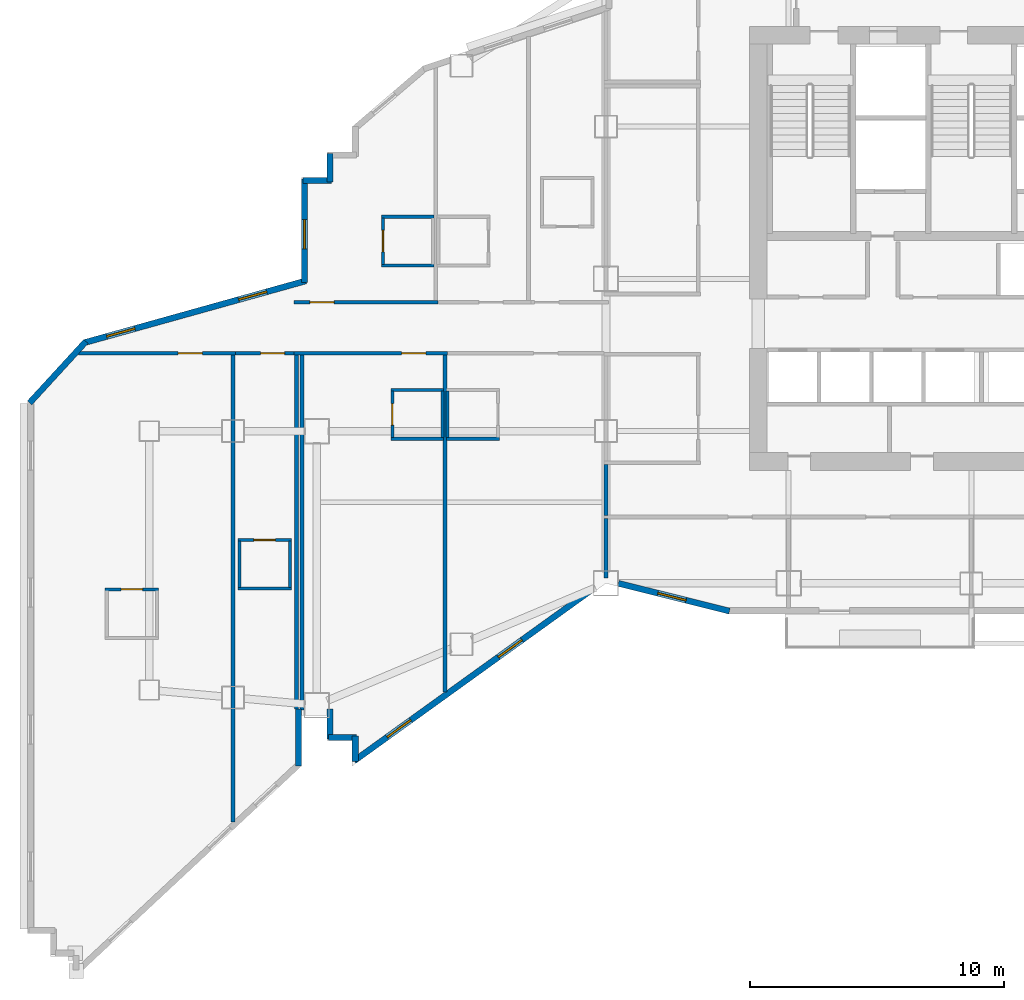
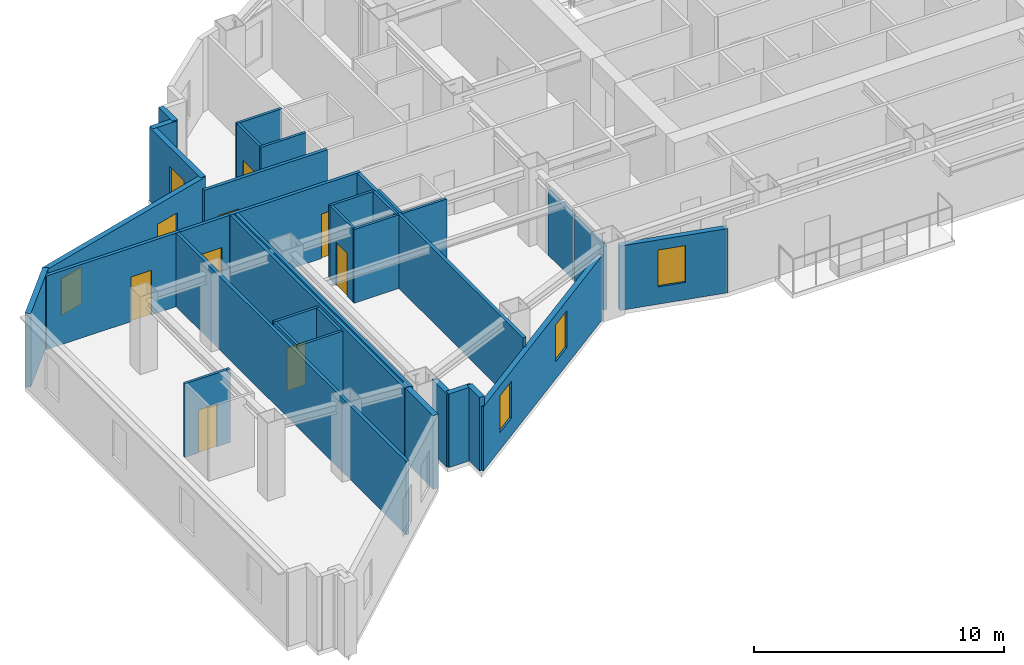
# One storey, part 7 of 14: 35 walls, 8 doors, 6 windows, 14 openings.
"""IFC4 building model written with IfcOpenShell, lengths in metres."""

from ifc_helpers import new_model, si_unit, direction, frame, frame_2d, origin, place, context, subcontext, project, spatial, rectangle, extrude, material, layer, layer_set, type_object, element, fill, save


model = new_model("IFC4")

# Units and contexts
model_context = context("Model", 3, precision=1e-05, world=origin(), true_north=direction((0.0, 1.0)))
body_context = subcontext(model_context, "Body", "Model", "MODEL_VIEW")
ifc_project = project(units=[si_unit("LENGTHUNIT", "METRE"), si_unit("AREAUNIT", "SQUARE_METRE"), si_unit("VOLUMEUNIT", "CUBIC_METRE"), si_unit("PLANEANGLEUNIT", "RADIAN"), si_unit("MASSUNIT", "GRAM", prefix="KILO")], contexts=[model_context])

# Site, building, storey
site_placement = place(None, origin())
site = spatial("IfcSite", under=ifc_project, at=site_placement, CompositionType="ELEMENT")
building_placement = place(site_placement, origin())
building = spatial("IfcBuilding", under=site, at=building_placement, Name="Haolan Belvedere Tower", CompositionType="ELEMENT")
storey_placement = place(building_placement, frame((0.0, 0.0, 148.60009765625)))
storey = spatial("IfcBuildingStorey", under=building, at=storey_placement, Name="L37", CompositionType="ELEMENT", Elevation=148.60009765625)

# Walls
ifc_material_1 = material(Name="Precast concrete C40/50", Category="concrete")
ifc_layer_1 = layer(ifc_material_1, 0.239990234375, Name="Precast concrete C40/50")
ifc_layer_set_1 = layer_set([ifc_layer_1], Name="Precast concrete C40/50")
wall_type_1 = type_object("IfcWallType", Name="WL-EXT-240", PredefinedType="SOLIDWALL", material=ifc_layer_set_1)
wall_1_placement = place(storey_placement, frame((13.1201171875, 16.639892578125, 0.0), z_axis=(0.0, 0.0, 1.0), x_axis=(0.0, -1.0, 0.0)))
element("IfcWall", 1, at=wall_1_placement, inside=storey, type_object=wall_type_1, Name="L37 pale-metal exterior spandrel wall 2.1", PredefinedType="SOLIDWALL", context=body_context, shape_type="SweptSolid", body=[
    extrude(rectangle(XDim=1.1748046875, YDim=0.239990234375, at=frame_2d((0.58740234375, 0.0))), origin(), (0.0, 0.0, 1.0), 3.599853515625),
])
wall_2_placement = place(storey_placement, frame((13.06494140625, 15.52001953125, 0.0), z_axis=(0.0, 0.0, 1.0), x_axis=(1.0, 0.0, 0.0)))
element("IfcWall", 2, at=wall_2_placement, inside=storey, type_object=wall_type_1, Name="L37 pale-metal exterior spandrel wall 3.1", PredefinedType="SOLIDWALL", context=body_context, shape_type="SweptSolid", body=[
    extrude(rectangle(XDim=1.110107421875, YDim=0.239990234375, at=frame_2d((0.55517578125, 0.0))), origin(), (0.0, 0.0, 1.0), 3.599853515625),
])
wall_3_placement = place(storey_placement, frame((14.1201171875, 15.574951171875, 0.0), z_axis=(0.0, 0.0, 1.0), x_axis=(0.0, -1.0, 0.0)))
element("IfcWall", 3, at=wall_3_placement, inside=storey, type_object=wall_type_1, Name="L37 pale-metal exterior spandrel wall 4.1", PredefinedType="SOLIDWALL", context=body_context, shape_type="SweptSolid", body=[
    extrude(rectangle(XDim=0.99560546875, YDim=0.239990234375, at=frame_2d((0.497802734375, 0.0))), origin(), (0.0, 0.0, 1.0), 3.599853515625),
])

# Wall, openings, windows
wall_4_placement = place(storey_placement, frame((14.075439453125, 14.602294921875, 0.0), z_axis=(0.0, 0.0, 1.0), x_axis=(0.811543504691, 0.584291998913, 0.0)))
wall_4 = element("IfcWall", 4, at=wall_4_placement, inside=storey, type_object=wall_type_1, Name="L37 pale-metal exterior spandrel wall 5.1", PredefinedType="SOLIDWALL", context=body_context, shape_type="SweptSolid", body=[
    extrude(rectangle(XDim=11.623046875, YDim=0.239990234375, at=frame_2d((5.8115234375, 0.0))), origin(), (0.0, 0.0, 1.0), 3.14501953125),
])
opening_1_placement = place(wall_4_placement, frame((1.60009765625, 0.0, 0.85009765625)))
opening_1 = element("IfcOpeningElement", 5, at=opening_1_placement, cuts=wall_4, Name="Opening W-02", PredefinedType="OPENING", context=body_context, shape_type="SweptSolid", body=[
    extrude(rectangle(XDim=1.14990234375, YDim=1.800048828125, at=frame_2d((0.574951171875, 0.89990234375))), frame((0.0, 0.1298828125, 0.0), z_axis=(0.0, -1.0, 0.0), x_axis=(1.0, 0.0, 0.0)), (0.0, 0.0, 1.0), 0.260009765625),
])
opening_2_placement = place(wall_4_placement, frame((7.0, 0.0, 0.85009765625)))
opening_2 = element("IfcOpeningElement", 6, at=opening_2_placement, cuts=wall_4, Name="Opening W-02", PredefinedType="OPENING", context=body_context, shape_type="SweptSolid", body=[
    extrude(rectangle(XDim=1.14990234375, YDim=1.800048828125, at=frame_2d((0.574951171875, 0.89990234375))), frame((0.0, 0.1298828125, 0.0), z_axis=(0.0, -1.0, 0.0), x_axis=(1.0, 0.0, 0.0)), (0.0, 0.0, 1.0), 0.260009765625),
])
ifc_material_2 = material(Name="Anodised aluminium 6063-T6 and Low-E glass", Category="aluminium")
window_type = type_object("IfcWindowType", Name="WN-DECO-Z2", PartitioningType="SINGLE_PANEL", PredefinedType="WINDOW", material=ifc_material_2)
window_1_placement = place(opening_1_placement, origin())
window_1 = element("IfcWindow", 7, at=window_1_placement, inside=storey, type_object=window_type, Name="L37 Art Deco chevron window 1", OverallHeight=1.800048828125, OverallWidth=1.14990234375, PartitioningType="SINGLE_PANEL", PredefinedType="WINDOW", context=body_context, shape_type="SweptSolid", body=[
    extrude(rectangle(XDim=1.14990234375, YDim=1.800048828125, at=frame_2d((0.574951171875, 0.89990234375))), frame((0.0, 0.030029296875, 0.0), z_axis=(0.0, -1.0, 0.0), x_axis=(1.0, 0.0, 0.0)), (0.0, 0.0, 1.0), 0.06005859375),
])
fill(opening_1, window_1)
window_2_placement = place(opening_2_placement, origin())
window_2 = element("IfcWindow", 8, at=window_2_placement, inside=storey, type_object=window_type, Name="L37 Art Deco chevron window 2", OverallHeight=1.800048828125, OverallWidth=1.14990234375, PartitioningType="SINGLE_PANEL", PredefinedType="WINDOW", context=body_context, shape_type="SweptSolid", body=[
    extrude(rectangle(XDim=1.14990234375, YDim=1.800048828125, at=frame_2d((0.574951171875, 0.89990234375))), frame((0.0, 0.030029296875, 0.0), z_axis=(0.0, -1.0, 0.0), x_axis=(1.0, 0.0, 0.0)), (0.0, 0.0, 1.0), 0.06005859375),
])
fill(opening_2, window_2)

# Wall, opening, window
wall_5_placement = place(storey_placement, frame((24.491943359375, 21.6005859375, 0.0), z_axis=(0.0, 0.0, 1.0), x_axis=(0.970145683738, -0.242522890311, 0.0)))
wall_5 = element("IfcWall", 9, at=wall_5_placement, inside=storey, type_object=wall_type_1, Name="L37 pale-metal exterior spandrel wall 6.1", PredefinedType="SOLIDWALL", context=body_context, shape_type="SweptSolid", body=[
    extrude(rectangle(XDim=4.510986328125, YDim=0.239990234375, at=frame_2d((2.25537109375, 0.0))), origin(), (0.0, 0.0, 1.0), 3.14501953125),
])
opening_3_placement = place(wall_5_placement, frame((1.60009765625, 0.0, 0.85009765625)))
opening_3 = element("IfcOpeningElement", 10, at=opening_3_placement, cuts=wall_5, Name="Opening W-02", PredefinedType="OPENING", context=body_context, shape_type="SweptSolid", body=[
    extrude(rectangle(XDim=1.14990234375, YDim=1.800048828125, at=frame_2d((0.574951171875, 0.89990234375))), frame((0.0, 0.1298828125, 0.0), z_axis=(0.0, -1.0, 0.0), x_axis=(1.0, 0.0, 0.0)), (0.0, 0.0, 1.0), 0.260009765625),
])
window_3_placement = place(opening_3_placement, origin())
window_3 = element("IfcWindow", 11, at=window_3_placement, inside=storey, type_object=window_type, Name="L37 Art Deco chevron window 1", OverallHeight=1.800048828125, OverallWidth=1.14990234375, PartitioningType="SINGLE_PANEL", PredefinedType="WINDOW", context=body_context, shape_type="SweptSolid", body=[
    extrude(rectangle(XDim=1.14990234375, YDim=1.800048828125, at=frame_2d((0.574951171875, 0.89990234375))), frame((0.0, 0.030029296875, 0.0), z_axis=(0.0, -1.0, 0.0), x_axis=(1.0, 0.0, 0.0)), (0.0, 0.0, 1.0), 0.06005859375),
])
fill(opening_3, window_3)

# Walls
wall_6_placement = place(storey_placement, frame((13.1201171875, 38.534912109375, 0.0), z_axis=(0.0, 0.0, 1.0), x_axis=(0.0, -1.0, 0.0)))
element("IfcWall", 12, at=wall_6_placement, inside=storey, type_object=wall_type_1, Name="L37 pale-metal exterior spandrel wall 39.1", PredefinedType="SOLIDWALL", context=body_context, shape_type="SweptSolid", body=[
    extrude(rectangle(XDim=1.10986328125, YDim=0.239990234375, at=frame_2d((0.554931640625, 0.0))), origin(), (0.0, 0.0, 1.0), 3.599853515625),
])
wall_7_placement = place(storey_placement, frame((13.175048828125, 37.47998046875, 0.0), z_axis=(0.0, 0.0, 1.0), x_axis=(-1.0, 0.0, 0.0)))
element("IfcWall", 13, at=wall_7_placement, inside=storey, type_object=wall_type_1, Name="L37 pale-metal exterior spandrel wall 40.1", PredefinedType="SOLIDWALL", context=body_context, shape_type="SweptSolid", body=[
    extrude(rectangle(XDim=1.110107421875, YDim=0.239990234375, at=frame_2d((0.55517578125, 0.0))), origin(), (0.0, 0.0, 1.0), 3.599853515625),
])

# Wall, opening, window
wall_8_placement = place(storey_placement, frame((12.1201171875, 37.534912109375, 0.0), z_axis=(0.0, 0.0, 1.0), x_axis=(0.0, -1.0, 0.0)))
wall_8 = element("IfcWall", 14, at=wall_8_placement, inside=storey, type_object=wall_type_1, Name="L37 pale-metal exterior spandrel wall 41.1", PredefinedType="SOLIDWALL", context=body_context, shape_type="SweptSolid", body=[
    extrude(rectangle(XDim=4.0810546875, YDim=0.239990234375, at=frame_2d((2.04052734375, 0.0))), origin(), (0.0, 0.0, 1.0), 3.599853515625),
])
opening_4_placement = place(wall_8_placement, frame((1.60009765625, 0.0, 0.85009765625)))
opening_4 = element("IfcOpeningElement", 15, at=opening_4_placement, cuts=wall_8, Name="Opening W-02", PredefinedType="OPENING", context=body_context, shape_type="SweptSolid", body=[
    extrude(rectangle(XDim=1.14990234375, YDim=1.800048828125, at=frame_2d((0.574951171875, 0.89990234375))), frame((0.0, 0.1298828125, 0.0), z_axis=(0.0, -1.0, 0.0), x_axis=(1.0, 0.0, 0.0)), (0.0, 0.0, 1.0), 0.260009765625),
])
window_4_placement = place(opening_4_placement, origin())
window_4 = element("IfcWindow", 16, at=window_4_placement, inside=storey, type_object=window_type, Name="L37 Art Deco chevron window 1", OverallHeight=1.800048828125, OverallWidth=1.14990234375, PartitioningType="SINGLE_PANEL", PredefinedType="WINDOW", context=body_context, shape_type="SweptSolid", body=[
    extrude(rectangle(XDim=1.14990234375, YDim=1.800048828125, at=frame_2d((0.574951171875, 0.89990234375))), frame((0.0, 0.030029296875, 0.0), z_axis=(0.0, -1.0, 0.0), x_axis=(1.0, 0.0, 0.0)), (0.0, 0.0, 1.0), 0.06005859375),
])
fill(opening_4, window_4)

# Wall, openings, windows
wall_9_placement = place(storey_placement, frame((12.173095703125, 33.523681640625, 0.0), z_axis=(0.0, 0.0, 1.0), x_axis=(-0.963197271032, -0.268795493036, 0.0)))
wall_9 = element("IfcWall", 17, at=wall_9_placement, inside=storey, type_object=wall_type_1, Name="L37 pale-metal exterior spandrel wall 42.1", PredefinedType="SOLIDWALL", context=body_context, shape_type="SweptSolid", body=[
    extrude(rectangle(XDim=9.095458984375, YDim=0.239990234375, at=frame_2d((4.5478515625, 0.0))), origin(), (0.0, 0.0, 1.0), 3.599853515625),
])
opening_5_placement = place(wall_9_placement, frame((1.60009765625, 0.0, 0.85009765625)))
opening_5 = element("IfcOpeningElement", 18, at=opening_5_placement, cuts=wall_9, Name="Opening W-02", PredefinedType="OPENING", context=body_context, shape_type="SweptSolid", body=[
    extrude(rectangle(XDim=1.14990234375, YDim=1.800048828125, at=frame_2d((0.574951171875, 0.89990234375))), frame((0.0, 0.1298828125, 0.0), z_axis=(0.0, -1.0, 0.0), x_axis=(1.0, 0.0, 0.0)), (0.0, 0.0, 1.0), 0.260009765625),
])
opening_6_placement = place(wall_9_placement, frame((7.0, 0.0, 0.85009765625)))
opening_6 = element("IfcOpeningElement", 19, at=opening_6_placement, cuts=wall_9, Name="Opening W-02", PredefinedType="OPENING", context=body_context, shape_type="SweptSolid", body=[
    extrude(rectangle(XDim=1.14990234375, YDim=1.800048828125, at=frame_2d((0.574951171875, 0.89990234375))), frame((0.0, 0.1298828125, 0.0), z_axis=(0.0, -1.0, 0.0), x_axis=(1.0, 0.0, 0.0)), (0.0, 0.0, 1.0), 0.260009765625),
])
window_5_placement = place(opening_5_placement, origin())
window_5 = element("IfcWindow", 20, at=window_5_placement, inside=storey, type_object=window_type, Name="L37 Art Deco chevron window 1", OverallHeight=1.800048828125, OverallWidth=1.14990234375, PartitioningType="SINGLE_PANEL", PredefinedType="WINDOW", context=body_context, shape_type="SweptSolid", body=[
    extrude(rectangle(XDim=1.14990234375, YDim=1.800048828125, at=frame_2d((0.574951171875, 0.89990234375))), frame((0.0, 0.030029296875, 0.0), z_axis=(0.0, -1.0, 0.0), x_axis=(1.0, 0.0, 0.0)), (0.0, 0.0, 1.0), 0.06005859375),
])
fill(opening_5, window_5)
window_6_placement = place(opening_6_placement, origin())
window_6 = element("IfcWindow", 21, at=window_6_placement, inside=storey, type_object=window_type, Name="L37 Art Deco chevron window 2", OverallHeight=1.800048828125, OverallWidth=1.14990234375, PartitioningType="SINGLE_PANEL", PredefinedType="WINDOW", context=body_context, shape_type="SweptSolid", body=[
    extrude(rectangle(XDim=1.14990234375, YDim=1.800048828125, at=frame_2d((0.574951171875, 0.89990234375))), frame((0.0, 0.030029296875, 0.0), z_axis=(0.0, -1.0, 0.0), x_axis=(1.0, 0.0, 0.0)), (0.0, 0.0, 1.0), 0.06005859375),
])
fill(opening_6, window_6)

# Walls
wall_10_placement = place(storey_placement, frame((3.50244140625, 31.134033203125, 0.0), z_axis=(0.0, 0.0, 1.0), x_axis=(-0.675781844312, -0.737101688302, 0.0)))
element("IfcWall", 22, at=wall_10_placement, inside=storey, type_object=wall_type_1, Name="L37 pale-metal exterior spandrel wall 43.1", PredefinedType="SOLIDWALL", context=body_context, shape_type="SweptSolid", body=[
    extrude(rectangle(XDim=3.28466796875, YDim=0.239990234375, at=frame_2d((1.642333984375, 0.0))), origin(), (0.0, 0.0, 1.0), 3.599853515625),
])
wall_11_placement = place(storey_placement, frame((11.8798828125, 14.397216796875, 0.0), z_axis=(0.0, 0.0, 1.0), x_axis=(0.0, 1.0, 0.0)))
element("IfcWall", 23, at=wall_11_placement, inside=storey, type_object=wall_type_1, Name="L37 pale-metal exterior spandrel wall 50.1", PredefinedType="SOLIDWALL", context=body_context, shape_type="SweptSolid", body=[
    extrude(rectangle(XDim=2.24267578125, YDim=0.239990234375, at=frame_2d((1.121337890625, 0.0))), origin(), (0.0, 0.0, 1.0), 3.599853515625),
])
ifc_material_3 = material(Name="Double gypsum acoustic stud partition", Category="masonry")
ifc_layer_2 = layer(ifc_material_3, 0.14990234375, Name="Double gypsum acoustic stud partition")
ifc_layer_set_2 = layer_set([ifc_layer_2], Name="Double gypsum acoustic stud partition")
wall_type_2 = type_object("IfcWallType", Name="WL-PART-150", PredefinedType="PARTITIONING", material=ifc_layer_set_2)
wall_12_placement = place(storey_placement, frame((24.0, 21.818603515625, 0.0), z_axis=(0.0, 0.0, 1.0), x_axis=(0.0, 1.0, 0.0)))
element("IfcWall", 24, at=wall_12_placement, inside=storey, type_object=wall_type_2, Name="L37 interior partition IW-L37-KS1-W", PredefinedType="PARTITIONING", context=body_context, shape_type="SweptSolid", body=[
    extrude(rectangle(XDim=2.34130859375, YDim=0.14990234375, at=frame_2d((1.170654296875, 0.0))), origin(), (0.0, 0.0, 1.0), 3.14501953125),
])

# Wall, opening, door
wall_13_placement = place(storey_placement, frame((11.699951171875, 32.679931640625, 0.0), z_axis=(0.0, 0.0, 1.0), x_axis=(1.0, 0.0, 0.0)))
wall_13 = element("IfcWall", 25, at=wall_13_placement, inside=storey, type_object=wall_type_2, Name="L37 interior partition IW-L37-T2N1-S", PredefinedType="PARTITIONING", context=body_context, shape_type="SweptSolid", body=[
    extrude(rectangle(XDim=5.68994140625, YDim=0.14990234375, at=frame_2d((2.844970703125, 0.0))), origin(), (0.0, 0.0, 1.0), 3.599853515625),
])
opening_7_placement = place(wall_13_placement, frame((0.633544921875, 0.0, 0.0)))
opening_7 = element("IfcOpeningElement", 26, at=opening_7_placement, cuts=wall_13, Name="Opening ID-02", PredefinedType="OPENING", context=body_context, shape_type="SweptSolid", body=[
    extrude(rectangle(XDim=0.949951171875, YDim=2.14990234375, at=frame_2d((0.47509765625, 1.074951171875))), frame((0.0, 0.0849609375, 0.0), z_axis=(0.0, -1.0, 0.0), x_axis=(1.0, 0.0, 0.0)), (0.0, 0.0, 1.0), 0.169921875),
])
ifc_material_4 = material(Name="Acoustic oak veneer fire-rated timber", Category="wood")
door_type_1 = type_object("IfcDoorType", Name="DR-GUEST-950", OperationType="NOTDEFINED", PredefinedType="DOOR", material=ifc_material_4)
door_1_placement = place(opening_7_placement, origin())
door_1 = element("IfcDoor", 27, at=door_1_placement, inside=storey, type_object=door_type_1, Name="L37 door ID-L37-T2N1-ENT", OperationType="SINGLE_SWING_LEFT", OverallHeight=2.14990234375, OverallWidth=0.949951171875, PredefinedType="DOOR", context=body_context, shape_type="SweptSolid", body=[
    extrude(rectangle(XDim=0.949951171875, YDim=2.14990234375, at=frame_2d((0.47509765625, 1.074951171875))), frame((0.0, 0.02490234375, 0.0), z_axis=(0.0, -1.0, 0.0), x_axis=(1.0, 0.0, 0.0)), (0.0, 0.0, 1.0), 0.050048828125),
])
fill(opening_7, door_1)

wall_14_placement = place(storey_placement, frame((11.699951171875, 30.669921875, 0.0), z_axis=(0.0, 0.0, 1.0), x_axis=(1.0, 0.0, 0.0)))
wall_14 = element("IfcWall", 28, at=wall_14_placement, inside=storey, type_object=wall_type_2, Name="L37 interior partition IW-L37-T2S1-N", PredefinedType="PARTITIONING", context=body_context, shape_type="SweptSolid", body=[
    extrude(rectangle(XDim=6.06005859375, YDim=0.14990234375, at=frame_2d((3.030029296875, 0.0))), origin(), (0.0, 0.0, 1.0), 3.599853515625),
])
opening_8_placement = place(wall_14_placement, frame((5.201416015625, 0.0, 0.0), z_axis=(0.0, 0.0, 1.0), x_axis=(-1.0, 0.0, 0.0)))
opening_8 = element("IfcOpeningElement", 29, at=opening_8_placement, cuts=wall_14, Name="Opening ID-01", PredefinedType="OPENING", context=body_context, shape_type="SweptSolid", body=[
    extrude(rectangle(XDim=0.949951171875, YDim=2.179931640625, at=frame_2d((0.47509765625, 1.08984375))), frame((0.0, 0.0849609375, 0.0), z_axis=(0.0, -1.0, 0.0), x_axis=(1.0, 0.0, 0.0)), (0.0, 0.0, 1.0), 0.169921875),
])
ifc_material_5 = material(Name="Acoustic walnut veneer fire-rated timber", Category="wood")
door_type_2 = type_object("IfcDoorType", Name="DR-SUITE-950", OperationType="NOTDEFINED", PredefinedType="DOOR", material=ifc_material_5)
door_2_placement = place(opening_8_placement, origin())
door_2 = element("IfcDoor", 30, at=door_2_placement, inside=storey, type_object=door_type_2, Name="L37 door ID-L37-T2S1-ENT", OperationType="SINGLE_SWING_RIGHT", OverallHeight=2.179931640625, OverallWidth=0.949951171875, PredefinedType="DOOR", context=body_context, shape_type="SweptSolid", body=[
    extrude(rectangle(XDim=0.949951171875, YDim=2.179931640625, at=frame_2d((0.47509765625, 1.08984375))), frame((0.0, 0.02490234375, 0.0), z_axis=(0.0, -1.0, 0.0), x_axis=(1.0, 0.0, 0.0)), (0.0, 0.0, 1.0), 0.050048828125),
])
fill(opening_8, door_2)

# Walls
wall_15_placement = place(storey_placement, frame((11.800048828125, 16.64208984375, 0.0), z_axis=(0.0, 0.0, 1.0), x_axis=(0.0, 1.0, 0.0)))
element("IfcWall", 31, at=wall_15_placement, inside=storey, type_object=wall_type_2, Name="L37 interior partition IW-L37-T2S1-W", PredefinedType="PARTITIONING", context=body_context, shape_type="SweptSolid", body=[
    extrude(rectangle(XDim=13.968017578125, YDim=0.14990234375, at=frame_2d((6.98388671875, 0.0))), origin(), (0.0, 0.0, 1.0), 3.599853515625),
])
wall_16_placement = place(storey_placement, frame((17.659912109375, 17.3125, 0.0), z_axis=(0.0, 0.0, 1.0), x_axis=(0.0, 1.0, 0.0)))
element("IfcWall", 32, at=wall_16_placement, inside=storey, type_object=wall_type_2, Name="L37 interior partition IW-L37-T2S1-E", PredefinedType="PARTITIONING", context=body_context, shape_type="SweptSolid", body=[
    extrude(rectangle(XDim=13.297607421875, YDim=0.14990234375, at=frame_2d((6.64892578125, 0.0))), origin(), (0.0, 0.0, 1.0), 3.599853515625),
])
wall_17_placement = place(storey_placement, frame((24.0, 24.280029296875, 0.0), z_axis=(0.0, 0.0, 1.0), x_axis=(0.0, 1.0, 0.0)))
element("IfcWall", 33, at=wall_17_placement, inside=storey, type_object=wall_type_2, Name="L37 interior partition IW-L37-T2S2-E", PredefinedType="PARTITIONING", context=body_context, shape_type="SweptSolid", body=[
    extrude(rectangle(XDim=2.010009765625, YDim=0.14990234375, at=frame_2d((1.0048828125, 0.0))), origin(), (0.0, 0.0, 1.0), 3.14501953125),
])

# Wall, opening, door
wall_18_placement = place(storey_placement, frame((3.219482421875, 30.669921875, 0.0), z_axis=(0.0, 0.0, 1.0), x_axis=(1.0, 0.0, 0.0)))
wall_18 = element("IfcWall", 34, at=wall_18_placement, inside=storey, type_object=wall_type_2, Name="L37 interior partition IW-L37-T1S1-N", PredefinedType="PARTITIONING", context=body_context, shape_type="SweptSolid", body=[
    extrude(rectangle(XDim=6.180419921875, YDim=0.14990234375, at=frame_2d((3.09033203125, 0.0))), origin(), (0.0, 0.0, 1.0), 3.599853515625),
])
opening_9_placement = place(wall_18_placement, frame((4.872314453125, 0.0, 0.0), z_axis=(0.0, 0.0, 1.0), x_axis=(-1.0, 0.0, 0.0)))
opening_9 = element("IfcOpeningElement", 35, at=opening_9_placement, cuts=wall_18, Name="Opening ID-01", PredefinedType="OPENING", context=body_context, shape_type="SweptSolid", body=[
    extrude(rectangle(XDim=0.949951171875, YDim=2.179931640625, at=frame_2d((0.47509765625, 1.08984375))), frame((0.0, 0.0849609375, 0.0), z_axis=(0.0, -1.0, 0.0), x_axis=(1.0, 0.0, 0.0)), (0.0, 0.0, 1.0), 0.169921875),
])
door_3_placement = place(opening_9_placement, origin())
door_3 = element("IfcDoor", 36, at=door_3_placement, inside=storey, type_object=door_type_2, Name="L37 door ID-L37-T1S1-ENT", OperationType="SINGLE_SWING_LEFT", OverallHeight=2.179931640625, OverallWidth=0.949951171875, PredefinedType="DOOR", context=body_context, shape_type="SweptSolid", body=[
    extrude(rectangle(XDim=0.949951171875, YDim=2.179931640625, at=frame_2d((0.47509765625, 1.08984375))), frame((0.0, 0.02490234375, 0.0), z_axis=(0.0, -1.0, 0.0), x_axis=(1.0, 0.0, 0.0)), (0.0, 0.0, 1.0), 0.050048828125),
])
fill(opening_9, door_3)

# Wall
wall_19_placement = place(storey_placement, frame((9.300048828125, 12.187744140625, 0.0), z_axis=(0.0, 0.0, 1.0), x_axis=(0.0, 1.0, 0.0)))
element("IfcWall", 37, at=wall_19_placement, inside=storey, type_object=wall_type_2, Name="L37 interior partition IW-L37-T1S1-E", PredefinedType="PARTITIONING", context=body_context, shape_type="SweptSolid", body=[
    extrude(rectangle(XDim=18.42236328125, YDim=0.14990234375, at=frame_2d((9.211181640625, 0.0))), origin(), (0.0, 0.0, 1.0), 3.599853515625),
])

# Wall, opening, door
wall_20_placement = place(storey_placement, frame((9.402099609375, 30.669921875, 0.0), z_axis=(0.0, 0.0, 1.0), x_axis=(1.0, 0.0, 0.0)))
wall_20 = element("IfcWall", 38, at=wall_20_placement, inside=storey, type_object=wall_type_2, Name="L37 interior partition IW-L37-T1S2-N", PredefinedType="PARTITIONING", context=body_context, shape_type="SweptSolid", body=[
    extrude(rectangle(XDim=2.2958984375, YDim=0.14990234375, at=frame_2d((1.14794921875, 0.0))), origin(), (0.0, 0.0, 1.0), 3.599853515625),
])
opening_10_placement = place(wall_20_placement, frame((1.93408203125, 0.0, 0.0), z_axis=(0.0, 0.0, 1.0), x_axis=(-1.0, 0.0, 0.0)))
opening_10 = element("IfcOpeningElement", 39, at=opening_10_placement, cuts=wall_20, Name="Opening ID-02", PredefinedType="OPENING", context=body_context, shape_type="SweptSolid", body=[
    extrude(rectangle(XDim=0.949951171875, YDim=2.14990234375, at=frame_2d((0.47509765625, 1.074951171875))), frame((0.0, 0.0849609375, 0.0), z_axis=(0.0, -1.0, 0.0), x_axis=(1.0, 0.0, 0.0)), (0.0, 0.0, 1.0), 0.169921875),
])
door_4_placement = place(opening_10_placement, origin())
door_4 = element("IfcDoor", 40, at=door_4_placement, inside=storey, type_object=door_type_1, Name="L37 door ID-L37-T1S2-ENT", OperationType="SINGLE_SWING_RIGHT", OverallHeight=2.14990234375, OverallWidth=0.949951171875, PredefinedType="DOOR", context=body_context, shape_type="SweptSolid", body=[
    extrude(rectangle(XDim=0.949951171875, YDim=2.14990234375, at=frame_2d((0.47509765625, 1.074951171875))), frame((0.0, 0.02490234375, 0.0), z_axis=(0.0, -1.0, 0.0), x_axis=(1.0, 0.0, 0.0)), (0.0, 0.0, 1.0), 0.050048828125),
])
fill(opening_10, door_4)

# Walls
wall_21_placement = place(storey_placement, frame((12.02001953125, 16.612060546875, 0.0), z_axis=(0.0, 0.0, 1.0), x_axis=(0.0, 1.0, 0.0)))
element("IfcWall", 41, at=wall_21_placement, inside=storey, type_object=wall_type_2, Name="L37 interior partition IW-L37-T1S2-E", PredefinedType="PARTITIONING", context=body_context, shape_type="SweptSolid", body=[
    extrude(rectangle(XDim=13.998046875, YDim=0.14990234375, at=frame_2d((6.9990234375, 0.0))), origin(), (0.0, 0.0, 1.0), 3.599853515625),
])
ifc_material_6 = material(Name="Moisture-resistant gypsum tile partition", Category="masonry")
ifc_layer_3 = layer(ifc_material_6, 0.1201171875, Name="Moisture-resistant gypsum tile partition")
ifc_layer_set_3 = layer_set([ifc_layer_3], Name="Moisture-resistant gypsum tile partition")
wall_type_3 = type_object("IfcWallType", Name="WL-WET-120", PredefinedType="PARTITIONING", material=ifc_layer_set_3)
for number, where, z_axis, x_axis, name in (
    (42, (15.14990234375, 36.050048828125, 0.0), (0.0, 0.0, 1.0), (1.0, 0.0, 0.0), "L37 interior partition IW-L37-T2N1-BN"),
    (43, (15.14990234375, 34.1298828125, 0.0), (0.0, 0.0, 1.0), (1.0, 0.0, 0.0), "L37 interior partition IW-L37-T2N1-BS"),
):
    element("IfcWall", number, at=place(storey_placement, frame(where, z_axis=z_axis, x_axis=x_axis)), inside=storey, type_object=wall_type_3, Name=name, PredefinedType="PARTITIONING", context=body_context, shape_type="SweptSolid", body=[
        extrude(rectangle(XDim=2.080078125, YDim=0.1201171875, at=frame_2d((1.0400390625, 0.0))), origin(), (0.0, 0.0, 1.0), 3.599853515625),
    ])

# Wall, opening, door
wall_22_placement = place(storey_placement, frame((15.2099609375, 34.175048828125, 0.0), z_axis=(0.0, 0.0, 1.0), x_axis=(0.0, 1.0, 0.0)))
wall_22 = element("IfcWall", 44, at=wall_22_placement, inside=storey, type_object=wall_type_3, Name="L37 interior partition IW-L37-T2N1-BW", PredefinedType="PARTITIONING", context=body_context, shape_type="SweptSolid", body=[
    extrude(rectangle(XDim=1.829833984375, YDim=0.1201171875, at=frame_2d((0.9150390625, 0.0))), origin(), (0.0, 0.0, 1.0), 3.599853515625),
])
opening_11_placement = place(wall_22_placement, frame((1.340087890625, 0.0, 0.0), z_axis=(0.0, 0.0, 1.0), x_axis=(-1.0, 0.0, 0.0)))
opening_11 = element("IfcOpeningElement", 45, at=opening_11_placement, cuts=wall_22, Name="Opening ID-05", PredefinedType="OPENING", context=body_context, shape_type="SweptSolid", body=[
    extrude(rectangle(XDim=0.85009765625, YDim=2.10009765625, at=frame_2d((0.425048828125, 1.050048828125))), frame((0.0, 0.070068359375, 0.0), z_axis=(0.0, -1.0, 0.0), x_axis=(1.0, 0.0, 0.0)), (0.0, 0.0, 1.0), 0.14013671875),
])
ifc_material_7 = material(Name="Moisture-resistant lacquered timber", Category="wood")
door_type_3 = type_object("IfcDoorType", Name="DR-BATH-850", OperationType="NOTDEFINED", PredefinedType="DOOR", material=ifc_material_7)
door_5_placement = place(opening_11_placement, origin())
door_5 = element("IfcDoor", 46, at=door_5_placement, inside=storey, type_object=door_type_3, Name="L37 door ID-L37-T2N1-BATH", OperationType="SINGLE_SWING_RIGHT", OverallHeight=2.10009765625, OverallWidth=0.85009765625, PredefinedType="DOOR", context=body_context, shape_type="SweptSolid", body=[
    extrude(rectangle(XDim=0.85009765625, YDim=2.10009765625, at=frame_2d((0.425048828125, 1.050048828125))), frame((0.0, 0.02490234375, 0.0), z_axis=(0.0, -1.0, 0.0), x_axis=(1.0, 0.0, 0.0)), (0.0, 0.0, 1.0), 0.050048828125),
])
fill(opening_11, door_5)

# Walls
for number, where, z_axis, x_axis, name in (
    (47, (15.52001953125, 29.219970703125, 0.0), (0.0, 0.0, 1.0), (1.0, 0.0, 0.0), "L37 interior partition IW-L37-T2S1-BN"),
    (48, (15.52001953125, 27.300048828125, 0.0), (0.0, 0.0, 1.0), (1.0, 0.0, 0.0), "L37 interior partition IW-L37-T2S1-BS"),
):
    element("IfcWall", number, at=place(storey_placement, frame(where, z_axis=z_axis, x_axis=x_axis)), inside=storey, type_object=wall_type_3, Name=name, PredefinedType="PARTITIONING", context=body_context, shape_type="SweptSolid", body=[
        extrude(rectangle(XDim=2.080078125, YDim=0.1201171875, at=frame_2d((1.0400390625, 0.0))), origin(), (0.0, 0.0, 1.0), 3.599853515625),
    ])

# Wall, opening, door
wall_23_placement = place(storey_placement, frame((15.580078125, 27.344970703125, 0.0), z_axis=(0.0, 0.0, 1.0), x_axis=(0.0, 1.0, 0.0)))
wall_23 = element("IfcWall", 49, at=wall_23_placement, inside=storey, type_object=wall_type_3, Name="L37 interior partition IW-L37-T2S1-BW", PredefinedType="PARTITIONING", context=body_context, shape_type="SweptSolid", body=[
    extrude(rectangle(XDim=1.830078125, YDim=0.1201171875, at=frame_2d((0.9150390625, 0.0))), origin(), (0.0, 0.0, 1.0), 3.599853515625),
])
opening_12_placement = place(wall_23_placement, frame((1.340087890625, 0.0, 0.0), z_axis=(0.0, 0.0, 1.0), x_axis=(-1.0, 0.0, 0.0)))
opening_12 = element("IfcOpeningElement", 50, at=opening_12_placement, cuts=wall_23, Name="Opening ID-05", PredefinedType="OPENING", context=body_context, shape_type="SweptSolid", body=[
    extrude(rectangle(XDim=0.85009765625, YDim=2.10009765625, at=frame_2d((0.425048828125, 1.050048828125))), frame((0.0, 0.070068359375, 0.0), z_axis=(0.0, -1.0, 0.0), x_axis=(1.0, 0.0, 0.0)), (0.0, 0.0, 1.0), 0.14013671875),
])
door_6_placement = place(opening_12_placement, origin())
door_6 = element("IfcDoor", 51, at=door_6_placement, inside=storey, type_object=door_type_3, Name="L37 door ID-L37-T2S1-BATH", OperationType="SINGLE_SWING_LEFT", OverallHeight=2.10009765625, OverallWidth=0.85009765625, PredefinedType="DOOR", context=body_context, shape_type="SweptSolid", body=[
    extrude(rectangle(XDim=0.85009765625, YDim=2.10009765625, at=frame_2d((0.425048828125, 1.050048828125))), frame((0.0, 0.02490234375, 0.0), z_axis=(0.0, -1.0, 0.0), x_axis=(1.0, 0.0, 0.0)), (0.0, 0.0, 1.0), 0.050048828125),
])
fill(opening_12, door_6)

# Walls
wall_24_placement = place(storey_placement, frame((17.56005859375, 27.344970703125, 0.0), z_axis=(0.0, 0.0, 1.0), x_axis=(0.0, 1.0, 0.0)))
element("IfcWall", 52, at=wall_24_placement, inside=storey, type_object=wall_type_3, Name="L37 interior partition IW-L37-T2S1-BE", PredefinedType="PARTITIONING", context=body_context, shape_type="SweptSolid", body=[
    extrude(rectangle(XDim=1.830078125, YDim=0.1201171875, at=frame_2d((0.9150390625, 0.0))), origin(), (0.0, 0.0, 1.0), 3.599853515625),
])
wall_25_placement = place(storey_placement, frame((17.719970703125, 27.300048828125, 0.0), z_axis=(0.0, 0.0, 1.0), x_axis=(1.0, 0.0, 0.0)))
element("IfcWall", 53, at=wall_25_placement, inside=storey, type_object=wall_type_3, Name="L37 interior partition IW-L37-T2S2-BS", PredefinedType="PARTITIONING", context=body_context, shape_type="SweptSolid", body=[
    extrude(rectangle(XDim=2.080078125, YDim=0.1201171875, at=frame_2d((1.0400390625, 0.0))), origin(), (0.0, 0.0, 1.0), 3.599853515625),
])
wall_26_placement = place(storey_placement, frame((17.760009765625, 27.344970703125, 0.0), z_axis=(0.0, 0.0, 1.0), x_axis=(0.0, 1.0, 0.0)))
element("IfcWall", 54, at=wall_26_placement, inside=storey, type_object=wall_type_3, Name="L37 interior partition IW-L37-T2S2-BW", PredefinedType="PARTITIONING", context=body_context, shape_type="SweptSolid", body=[
    extrude(rectangle(XDim=1.830078125, YDim=0.1201171875, at=frame_2d((0.9150390625, 0.0))), origin(), (0.0, 0.0, 1.0), 3.599853515625),
])

# Wall, opening, door
wall_27_placement = place(storey_placement, frame((4.264892578125, 21.364013671875, 0.0), z_axis=(0.0, 0.0, 1.0), x_axis=(1.0, 0.0, 0.0)))
wall_27 = element("IfcWall", 55, at=wall_27_placement, inside=storey, type_object=wall_type_3, Name="L37 interior partition IW-L37-T1S1-BN", PredefinedType="PARTITIONING", context=body_context, shape_type="SweptSolid", body=[
    extrude(rectangle(XDim=2.10009765625, YDim=0.1201171875, at=frame_2d((1.050048828125, 0.0))), origin(), (0.0, 0.0, 1.0), 3.599853515625),
])
opening_13_placement = place(wall_27_placement, frame((1.47509765625, 0.0, 0.0), z_axis=(0.0, 0.0, 1.0), x_axis=(-1.0, 0.0, 0.0)))
opening_13 = element("IfcOpeningElement", 56, at=opening_13_placement, cuts=wall_27, Name="Opening ID-05", PredefinedType="OPENING", context=body_context, shape_type="SweptSolid", body=[
    extrude(rectangle(XDim=0.85009765625, YDim=2.10009765625, at=frame_2d((0.425048828125, 1.050048828125))), frame((0.0, 0.070068359375, 0.0), z_axis=(0.0, -1.0, 0.0), x_axis=(1.0, 0.0, 0.0)), (0.0, 0.0, 1.0), 0.14013671875),
])
door_7_placement = place(opening_13_placement, origin())
door_7 = element("IfcDoor", 57, at=door_7_placement, inside=storey, type_object=door_type_3, Name="L37 door ID-L37-T1S1-BATH", OperationType="SINGLE_SWING_RIGHT", OverallHeight=2.10009765625, OverallWidth=0.85009765625, PredefinedType="DOOR", context=body_context, shape_type="SweptSolid", body=[
    extrude(rectangle(XDim=0.85009765625, YDim=2.10009765625, at=frame_2d((0.425048828125, 1.050048828125))), frame((0.0, 0.02490234375, 0.0), z_axis=(0.0, -1.0, 0.0), x_axis=(1.0, 0.0, 0.0)), (0.0, 0.0, 1.0), 0.050048828125),
])
fill(opening_13, door_7)

wall_28_placement = place(storey_placement, frame((9.5, 23.31005859375, 0.0), z_axis=(0.0, 0.0, 1.0), x_axis=(1.0, 0.0, 0.0)))
wall_28 = element("IfcWall", 58, at=wall_28_placement, inside=storey, type_object=wall_type_3, Name="L37 interior partition IW-L37-T1S2-BN", PredefinedType="PARTITIONING", context=body_context, shape_type="SweptSolid", body=[
    extrude(rectangle(XDim=2.10009765625, YDim=0.1201171875, at=frame_2d((1.050048828125, 0.0))), origin(), (0.0, 0.0, 1.0), 3.599853515625),
])
opening_14_placement = place(wall_28_placement, frame((1.47509765625, 0.0, 0.0), z_axis=(0.0, 0.0, 1.0), x_axis=(-1.0, 0.0, 0.0)))
opening_14 = element("IfcOpeningElement", 59, at=opening_14_placement, cuts=wall_28, Name="Opening ID-05", PredefinedType="OPENING", context=body_context, shape_type="SweptSolid", body=[
    extrude(rectangle(XDim=0.85009765625, YDim=2.10009765625, at=frame_2d((0.425048828125, 1.050048828125))), frame((0.0, 0.070068359375, 0.0), z_axis=(0.0, -1.0, 0.0), x_axis=(1.0, 0.0, 0.0)), (0.0, 0.0, 1.0), 0.14013671875),
])
door_8_placement = place(opening_14_placement, origin())
door_8 = element("IfcDoor", 60, at=door_8_placement, inside=storey, type_object=door_type_3, Name="L37 door ID-L37-T1S2-BATH", OperationType="SINGLE_SWING_LEFT", OverallHeight=2.10009765625, OverallWidth=0.85009765625, PredefinedType="DOOR", context=body_context, shape_type="SweptSolid", body=[
    extrude(rectangle(XDim=0.85009765625, YDim=2.10009765625, at=frame_2d((0.425048828125, 1.050048828125))), frame((0.0, 0.02490234375, 0.0), z_axis=(0.0, -1.0, 0.0), x_axis=(1.0, 0.0, 0.0)), (0.0, 0.0, 1.0), 0.050048828125),
])
fill(opening_14, door_8)

# Walls
wall_29_placement = place(storey_placement, frame((9.5, 21.389892578125, 0.0), z_axis=(0.0, 0.0, 1.0), x_axis=(1.0, 0.0, 0.0)))
element("IfcWall", 61, at=wall_29_placement, inside=storey, type_object=wall_type_3, Name="L37 interior partition IW-L37-T1S2-BS", PredefinedType="PARTITIONING", context=body_context, shape_type="SweptSolid", body=[
    extrude(rectangle(XDim=2.10009765625, YDim=0.1201171875, at=frame_2d((1.050048828125, 0.0))), origin(), (0.0, 0.0, 1.0), 3.599853515625),
])
for number, where, z_axis, x_axis, name in (
    (62, (9.56005859375, 21.43505859375, 0.0), (0.0, 0.0, 1.0), (0.0, 1.0, 0.0), "L37 interior partition IW-L37-T1S2-BW"),
    (63, (11.5400390625, 21.43505859375, 0.0), (0.0, 0.0, 1.0), (0.0, 1.0, 0.0), "L37 interior partition IW-L37-T1S2-BE"),
):
    element("IfcWall", number, at=place(storey_placement, frame(where, z_axis=z_axis, x_axis=x_axis)), inside=storey, type_object=wall_type_3, Name=name, PredefinedType="PARTITIONING", context=body_context, shape_type="SweptSolid", body=[
        extrude(rectangle(XDim=1.829833984375, YDim=0.1201171875, at=frame_2d((0.9150390625, 0.0))), origin(), (0.0, 0.0, 1.0), 3.599853515625),
    ])

save(model, "model.ifc")
